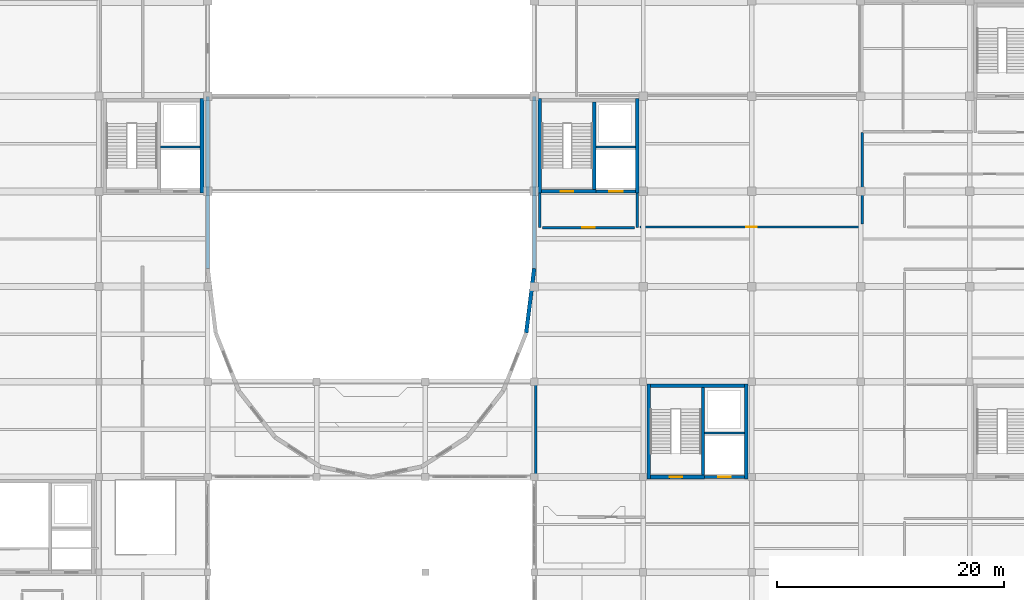
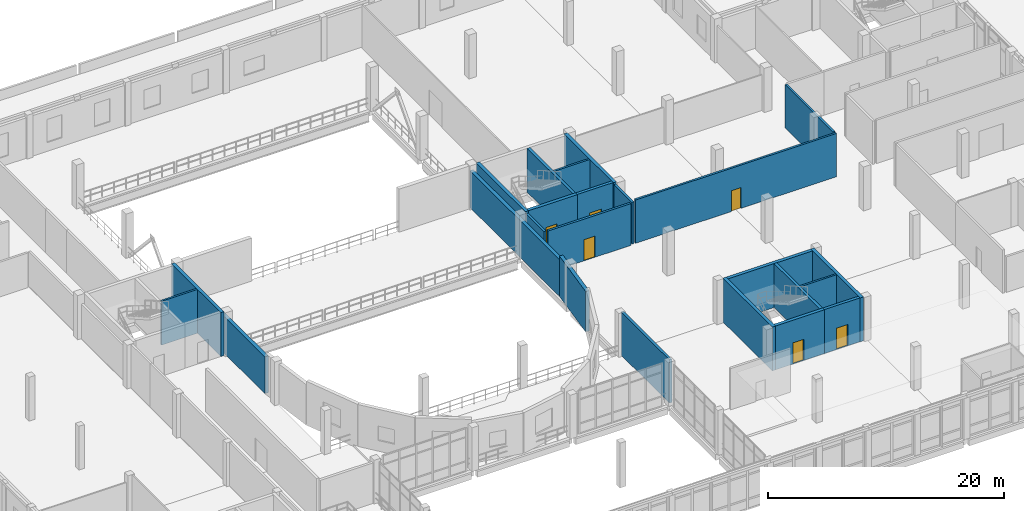
# One storey, part 75 of 88: 24 walls, 6 doors, 6 openings.
"""IFC4 building model written with IfcOpenShell, lengths in metres."""

from ifc_helpers import new_model, si_unit, direction, frame, frame_2d, origin, place, context, subcontext, project, spatial, rectangle, extrude, material, layer, layer_set, type_object, element, fill, save


model = new_model("IFC4")

# Units and contexts
model_context = context("Model", 3, precision=1e-05, world=origin(), true_north=direction((0.0, 1.0)))
body_context = subcontext(model_context, "Body", "Model", "MODEL_VIEW")
ifc_project = project(units=[si_unit("LENGTHUNIT", "METRE"), si_unit("AREAUNIT", "SQUARE_METRE"), si_unit("VOLUMEUNIT", "CUBIC_METRE"), si_unit("PLANEANGLEUNIT", "RADIAN"), si_unit("MASSUNIT", "GRAM", prefix="KILO")], contexts=[model_context])

# Site, building, storey
site_placement = place(None, origin())
site = spatial("IfcSite", under=ifc_project, at=site_placement, CompositionType="ELEMENT")
building_placement = place(site_placement, origin())
building = spatial("IfcBuilding", under=site, at=building_placement, Name="Lornevale Opera House", CompositionType="ELEMENT")
storey_placement = place(building_placement, frame((0.0, 0.0, 10.199951171875)))
storey = spatial("IfcBuildingStorey", under=building, at=storey_placement, Name="L03", CompositionType="ELEMENT", Elevation=10.199951171875)

# Wall
ifc_material_1 = material(Name="Acoustic Mineral-Core Gypsum Partition", Category="gypsum")
ifc_layer_1 = layer(ifc_material_1, 0.25)
ifc_layer_set_1 = layer_set([ifc_layer_1], Name="Acoustic Mineral-Core Gypsum Partition")
wall_type_1 = type_object("IfcWallType", Name="Auditorium Box-in-Box Liner 250", PredefinedType="SOLIDWALL", material=ifc_layer_set_1)
wall_1_placement = place(storey_placement, frame((96.139892578125, 33.69091796875, 0.0), z_axis=(0.0, 0.0, 1.0), x_axis=(0.0, 1.0, 0.0)))
element("IfcWall", 1, at=wall_1_placement, inside=storey, type_object=wall_type_1, Name="L03 Partition WL-INT-0836", PredefinedType="SOLIDWALL", context=body_context, shape_type="SweptSolid", body=[
    extrude(rectangle(XDim=8.218017578125, YDim=0.25, at=frame_2d((4.10888671875, 0.0))), origin(), (0.0, 0.0, 1.0), 4.47998046875),
])

# Wall, opening, door
ifc_material_2 = material(Name="Concrete 40 MPa (CSA A23.1 C-1)", Category="concrete")
ifc_layer_2 = layer(ifc_material_2, 0.320068359375)
ifc_layer_set_2 = layer_set([ifc_layer_2], Name="Concrete 40 MPa (CSA A23.1 C-1)")
wall_type_2 = type_object("IfcWallType", Name="Core Shear Wall 320", PredefinedType="SHEAR", material=ifc_layer_set_2)
wall_2_placement = place(storey_placement, frame((106.260009765625, 33.60009765625, 0.0), z_axis=(0.0, 0.0, 1.0), x_axis=(1.0, 0.0, 0.0)))
wall_2 = element("IfcWall", 2, at=wall_2_placement, inside=storey, type_object=wall_type_2, Name="South-East Foyer Core Core Shear Wall 320 WL-COR-0064", PredefinedType="SHEAR", context=body_context, shape_type="SweptSolid", body=[
    extrude(rectangle(XDim=4.780029296875, YDim=0.320068359375, at=frame_2d((2.39013671875, 0.0))), origin(), (0.0, 0.0, 1.0), 4.5400390625),
])
opening_1_placement = place(wall_2_placement, frame((1.68994140625, 0.0, 0.0)))
opening_1 = element("IfcOpeningElement", 3, at=opening_1_placement, cuts=wall_2, Name="Opening DR-T11", PredefinedType="OPENING", context=body_context, shape_type="SweptSolid", body=[
    extrude(rectangle(XDim=1.10009765625, YDim=2.199951171875, at=frame_2d((0.550048828125, 1.10009765625))), frame((0.0, 0.169921875, 0.0), z_axis=(0.0, -1.0, 0.0), x_axis=(1.0, 0.0, 0.0)), (0.0, 0.0, 1.0), 0.340087890625),
])
ifc_material_3 = material(Name="Painted Hollow Metal Door Steel", Category="steel")
ifc_layer_3 = layer(ifc_material_3, 2.199951171875)
ifc_layer_set_3 = layer_set([ifc_layer_3], Name="Painted Hollow Metal Door Steel")
door_type_1 = type_object("IfcDoorType", Name="Protected Exit Stair Door R 1100x2200", OperationType="NOTDEFINED", PredefinedType="DOOR", material=ifc_layer_set_3)
door_1_placement = place(opening_1_placement, origin())
door_1 = element("IfcDoor", 4, at=door_1_placement, inside=storey, type_object=door_type_1, Name="C2 Stair Door L03", OperationType="SINGLE_SWING_RIGHT", OverallHeight=2.199951171875, OverallWidth=1.10009765625, PredefinedType="DOOR", context=body_context, shape_type="SweptSolid", body=[
    extrude(rectangle(XDim=1.10009765625, YDim=2.199951171875, at=frame_2d((0.550048828125, 1.10009765625))), frame((0.0, 0.02490234375, 0.0), z_axis=(0.0, -1.0, 0.0), x_axis=(1.0, 0.0, 0.0)), (0.0, 0.0, 1.0), 0.050048828125),
])
fill(opening_1, door_1)

# Walls
wall_3_placement = place(storey_placement, frame((114.5400390625, 41.639892578125, 0.0), z_axis=(0.0, 0.0, 1.0), x_axis=(-1.0, 0.0, 0.0)))
element("IfcWall", 5, at=wall_3_placement, inside=storey, type_object=wall_type_2, Name="South-East Foyer Core Core Shear Wall 320 WL-COR-0066", PredefinedType="SHEAR", context=body_context, shape_type="SweptSolid", body=[
    extrude(rectangle(XDim=8.280029296875, YDim=0.320068359375, at=frame_2d((4.14013671875, 0.0))), origin(), (0.0, 0.0, 1.0), 4.5400390625),
])
for number, where, z_axis, x_axis, name in (
    (6, (106.10009765625, 41.800048828125, 0.0), (0.0, 0.0, 1.0), (0.0, -1.0, 0.0), "South-East Foyer Core Core Shear Wall 320 WL-COR-0067"),
    (7, (114.699951171875, 33.43994140625, 0.0), (0.0, 0.0, 1.0), (0.0, 1.0, 0.0), "South-East Foyer Core Core Shear Wall 320 WL-COR-0068"),
    (8, (66.699951171875, 58.639892578125, 0.0), (0.0, 0.0, 1.0), (0.0, 1.0, 0.0), "Auditorium West Tier Core Core Shear Wall 320 WL-COR-0180"),
):
    element("IfcWall", number, at=place(storey_placement, frame(where, z_axis=z_axis, x_axis=x_axis)), inside=storey, type_object=wall_type_2, Name=name, PredefinedType="SHEAR", context=body_context, shape_type="SweptSolid", body=[
        extrude(rectangle(XDim=8.360107421875, YDim=0.320068359375, at=frame_2d((4.18017578125, 0.0))), origin(), (0.0, 0.0, 1.0), 4.5400390625),
    ])

# Wall, opening, door
wall_4_placement = place(storey_placement, frame((96.659912109375, 58.800048828125, 0.0), z_axis=(0.0, 0.0, 1.0), x_axis=(1.0, 0.0, 0.0)))
wall_4 = element("IfcWall", 9, at=wall_4_placement, inside=storey, type_object=wall_type_2, Name="Stagehouse Firefighter Core West Core Shear Wall 320 WL-COR-0225", PredefinedType="SHEAR", context=body_context, shape_type="SweptSolid", body=[
    extrude(rectangle(XDim=4.780029296875, YDim=0.320068359375, at=frame_2d((2.39013671875, 0.0))), origin(), (0.0, 0.0, 1.0), 4.5400390625),
])
opening_2_placement = place(wall_4_placement, frame((1.68994140625, 0.0, 0.0)))
opening_2 = element("IfcOpeningElement", 10, at=opening_2_placement, cuts=wall_4, Name="Opening DR-T11", PredefinedType="OPENING", context=body_context, shape_type="SweptSolid", body=[
    extrude(rectangle(XDim=1.10009765625, YDim=2.199951171875, at=frame_2d((0.550048828125, 1.10009765625))), frame((0.0, 0.169921875, 0.0), z_axis=(0.0, -1.0, 0.0), x_axis=(1.0, 0.0, 0.0)), (0.0, 0.0, 1.0), 0.340087890625),
])
door_2_placement = place(opening_2_placement, origin())
door_2 = element("IfcDoor", 11, at=door_2_placement, inside=storey, type_object=door_type_1, Name="C6 Stair Door L03", OperationType="SINGLE_SWING_RIGHT", OverallHeight=2.199951171875, OverallWidth=1.10009765625, PredefinedType="DOOR", context=body_context, shape_type="SweptSolid", body=[
    extrude(rectangle(XDim=1.10009765625, YDim=2.199951171875, at=frame_2d((0.550048828125, 1.10009765625))), frame((0.0, 0.02490234375, 0.0), z_axis=(0.0, -1.0, 0.0), x_axis=(1.0, 0.0, 0.0)), (0.0, 0.0, 1.0), 0.050048828125),
])
fill(opening_2, door_2)

# Walls
for number, where, z_axis, x_axis, name in (
    (12, (96.5, 67.0, 0.0), (0.0, 0.0, 1.0), (0.0, -1.0, 0.0), "Stagehouse Firefighter Core West Core Shear Wall 320 WL-COR-0228"),
    (13, (105.10009765625, 58.639892578125, 0.0), (0.0, 0.0, 1.0), (0.0, 1.0, 0.0), "Stagehouse Firefighter Core West Core Shear Wall 320 WL-COR-0229"),
):
    element("IfcWall", number, at=place(storey_placement, frame(where, z_axis=z_axis, x_axis=x_axis)), inside=storey, type_object=wall_type_2, Name=name, PredefinedType="SHEAR", context=body_context, shape_type="SweptSolid", body=[
        extrude(rectangle(XDim=8.360107421875, YDim=0.320068359375, at=frame_2d((4.18017578125, 0.0))), origin(), (0.0, 0.0, 1.0), 4.5400390625),
    ])

# Wall, opening, door
ifc_layer_4 = layer(ifc_material_2, 0.280029296875)
ifc_layer_set_4 = layer_set([ifc_layer_4], Name="Concrete 40 MPa (CSA A23.1 C-1)")
wall_type_3 = type_object("IfcWallType", Name="Elevator Shaft Wall 280", PredefinedType="SHEAR", material=ifc_layer_set_4)
wall_5_placement = place(storey_placement, frame((111.0400390625, 33.60009765625, 0.0), z_axis=(0.0, 0.0, 1.0), x_axis=(1.0, 0.0, 0.0)))
wall_5 = element("IfcWall", 14, at=wall_5_placement, inside=storey, type_object=wall_type_3, Name="South-East Foyer Core Elevator Shaft Wall 280 WL-COR-0065", PredefinedType="SHEAR", context=body_context, shape_type="SweptSolid", body=[
    extrude(rectangle(XDim=3.5, YDim=0.280029296875, at=frame_2d((1.75, 0.0))), origin(), (0.0, 0.0, 1.0), 4.5400390625),
])
opening_3_placement = place(wall_5_placement, frame((1.2099609375, 0.0, 0.0)))
opening_3 = element("IfcOpeningElement", 15, at=opening_3_placement, cuts=wall_5, Name="Opening DR-T25", PredefinedType="OPENING", context=body_context, shape_type="SweptSolid", body=[
    extrude(rectangle(XDim=1.10009765625, YDim=2.199951171875, at=frame_2d((0.550048828125, 1.10009765625))), frame((0.0, 0.14990234375, 0.0), z_axis=(0.0, -1.0, 0.0), x_axis=(1.0, 0.0, 0.0)), (0.0, 0.0, 1.0), 0.300048828125),
])
ifc_layer_5 = layer(ifc_material_3, 2.199951171875)
ifc_layer_set_5 = layer_set([ifc_layer_5], Name="Painted Hollow Metal Door Steel")
door_type_2 = type_object("IfcDoorType", Name="Passenger Lift Landing Door 1100x2200", OperationType="NOTDEFINED", PredefinedType="DOOR", material=ifc_layer_set_5)
door_3_placement = place(opening_3_placement, origin())
door_3 = element("IfcDoor", 16, at=door_3_placement, inside=storey, type_object=door_type_2, Name="L-P2 Landing Door L03", OperationType="SLIDING_TO_LEFT", OverallHeight=2.199951171875, OverallWidth=1.10009765625, PredefinedType="DOOR", context=body_context, shape_type="SweptSolid", body=[
    extrude(rectangle(XDim=1.10009765625, YDim=2.199951171875, at=frame_2d((0.550048828125, 1.10009765625))), frame((0.0, 0.02490234375, 0.0), z_axis=(0.0, -1.0, 0.0), x_axis=(1.0, 0.0, 0.0)), (0.0, 0.0, 1.0), 0.050048828125),
])
fill(opening_3, door_3)

# Wall
wall_6_placement = place(storey_placement, frame((110.89990234375, 33.760009765625, 0.0), z_axis=(0.0, 0.0, 1.0), x_axis=(0.0, 1.0, 0.0)))
element("IfcWall", 17, at=wall_6_placement, inside=storey, type_object=wall_type_3, Name="South-East Foyer Core Elevator Shaft Wall 280 WL-COR-0069", PredefinedType="SHEAR", context=body_context, shape_type="SweptSolid", body=[
    extrude(rectangle(XDim=7.719970703125, YDim=0.280029296875, at=frame_2d((3.85986328125, 0.0))), origin(), (0.0, 0.0, 1.0), 4.5400390625),
])

# Wall, opening, door
wall_7_placement = place(storey_placement, frame((101.43994140625, 58.800048828125, 0.0), z_axis=(0.0, 0.0, 1.0), x_axis=(1.0, 0.0, 0.0)))
wall_7 = element("IfcWall", 18, at=wall_7_placement, inside=storey, type_object=wall_type_3, Name="Stagehouse Firefighter Core West Elevator Shaft Wall 280 WL-COR-0226", PredefinedType="SHEAR", context=body_context, shape_type="SweptSolid", body=[
    extrude(rectangle(XDim=3.5, YDim=0.280029296875, at=frame_2d((1.75, 0.0))), origin(), (0.0, 0.0, 1.0), 4.5400390625),
])
opening_4_placement = place(wall_7_placement, frame((1.159912109375, 0.0, 0.0)))
opening_4 = element("IfcOpeningElement", 19, at=opening_4_placement, cuts=wall_7, Name="Opening DR-T26", PredefinedType="OPENING", context=body_context, shape_type="SweptSolid", body=[
    extrude(rectangle(XDim=1.199951171875, YDim=2.199951171875, at=frame_2d((0.60009765625, 1.10009765625))), frame((0.0, 0.14990234375, 0.0), z_axis=(0.0, -1.0, 0.0), x_axis=(1.0, 0.0, 0.0)), (0.0, 0.0, 1.0), 0.300048828125),
])
ifc_layer_6 = layer(ifc_material_3, 2.199951171875)
ifc_layer_set_6 = layer_set([ifc_layer_6], Name="Painted Hollow Metal Door Steel")
door_type_3 = type_object("IfcDoorType", Name="Firefighter Lift Landing Door 1200x2200", OperationType="NOTDEFINED", PredefinedType="DOOR", material=ifc_layer_set_6)
door_4_placement = place(opening_4_placement, origin())
door_4 = element("IfcDoor", 20, at=door_4_placement, inside=storey, type_object=door_type_3, Name="L-FF1 Landing Door L03", OperationType="SLIDING_TO_RIGHT", OverallHeight=2.199951171875, OverallWidth=1.199951171875, PredefinedType="DOOR", context=body_context, shape_type="SweptSolid", body=[
    extrude(rectangle(XDim=1.199951171875, YDim=2.199951171875, at=frame_2d((0.60009765625, 1.10009765625))), frame((0.0, 0.02490234375, 0.0), z_axis=(0.0, -1.0, 0.0), x_axis=(1.0, 0.0, 0.0)), (0.0, 0.0, 1.0), 0.050048828125),
])
fill(opening_4, door_4)

# Walls
wall_8_placement = place(storey_placement, frame((101.300048828125, 58.9599609375, 0.0), z_axis=(0.0, 0.0, 1.0), x_axis=(0.0, 1.0, 0.0)))
element("IfcWall", 21, at=wall_8_placement, inside=storey, type_object=wall_type_3, Name="Stagehouse Firefighter Core West Elevator Shaft Wall 280 WL-COR-0230", PredefinedType="SHEAR", context=body_context, shape_type="SweptSolid", body=[
    extrude(rectangle(XDim=7.719970703125, YDim=0.280029296875, at=frame_2d((3.85986328125, 0.0))), origin(), (0.0, 0.0, 1.0), 4.5400390625),
])
ifc_material_4 = material(Name="Concrete 35 MPa (CSA A23.1 N)", Category="concrete")
ifc_layer_7 = layer(ifc_material_4, 0.219970703125)
ifc_layer_set_7 = layer_set([ifc_layer_7], Name="Concrete 35 MPa (CSA A23.1 N)")
wall_type_4 = type_object("IfcWallType", Name="Firefighter Vestibule Wall 220", PredefinedType="SOLIDWALL", material=ifc_layer_set_7)
for number, where, z_axis, x_axis, name in (
    (22, (96.5, 55.60009765625, 0.0), (0.0, 0.0, 1.0), (0.0, 1.0, 0.0), "C6 Vestibule West Wall WL-INT-0400"),
    (23, (105.10009765625, 55.60009765625, 0.0), (0.0, 0.0, 1.0), (0.0, 1.0, 0.0), "C6 Vestibule East Wall WL-INT-0401"),
):
    element("IfcWall", number, at=place(storey_placement, frame(where, z_axis=z_axis, x_axis=x_axis)), inside=storey, type_object=wall_type_4, Name=name, PredefinedType="SOLIDWALL", context=body_context, shape_type="SweptSolid", body=[
        extrude(rectangle(XDim=3.039794921875, YDim=0.219970703125, at=frame_2d((1.52001953125, 0.0))), origin(), (0.0, 0.0, 1.0), 4.320068359375),
    ])

# Wall, opening, door
wall_9_placement = place(storey_placement, frame((96.75, 55.60009765625, 0.0), z_axis=(0.0, 0.0, 1.0), x_axis=(1.0, 0.0, 0.0)))
wall_9 = element("IfcWall", 24, at=wall_9_placement, inside=storey, type_object=wall_type_4, Name="C6 Vestibule South Wall WL-INT-0402", PredefinedType="SOLIDWALL", context=body_context, shape_type="SweptSolid", body=[
    extrude(rectangle(XDim=8.10009765625, YDim=0.219970703125, at=frame_2d((4.050048828125, 0.0))), origin(), (0.0, 0.0, 1.0), 4.320068359375),
])
opening_5_placement = place(wall_9_placement, frame((3.5, 0.0, 0.0)))
opening_5 = element("IfcOpeningElement", 25, at=opening_5_placement, cuts=wall_9, Name="Opening DR-T13", PredefinedType="OPENING", context=body_context, shape_type="SweptSolid", body=[
    extrude(rectangle(XDim=1.10009765625, YDim=2.199951171875, at=frame_2d((0.550048828125, 1.10009765625))), frame((0.0, 0.119873046875, 0.0), z_axis=(0.0, -1.0, 0.0), x_axis=(1.0, 0.0, 0.0)), (0.0, 0.0, 1.0), 0.239990234375),
])
ifc_layer_8 = layer(ifc_material_3, 2.199951171875)
ifc_layer_set_8 = layer_set([ifc_layer_8], Name="Painted Hollow Metal Door Steel")
door_type_4 = type_object("IfcDoorType", Name="Firefighter Vestibule Door 1100x2200", OperationType="NOTDEFINED", PredefinedType="DOOR", material=ifc_layer_set_8)
door_5_placement = place(opening_5_placement, origin())
door_5 = element("IfcDoor", 26, at=door_5_placement, inside=storey, type_object=door_type_4, Name="C6 Firefighter Vestibule Door L03", OperationType="SINGLE_SWING_LEFT", OverallHeight=2.199951171875, OverallWidth=1.10009765625, PredefinedType="DOOR", context=body_context, shape_type="SweptSolid", body=[
    extrude(rectangle(XDim=1.10009765625, YDim=2.199951171875, at=frame_2d((0.550048828125, 1.10009765625))), frame((0.0, 0.02490234375, 0.0), z_axis=(0.0, -1.0, 0.0), x_axis=(1.0, 0.0, 0.0)), (0.0, 0.0, 1.0), 0.050048828125),
])
fill(opening_5, door_5)

# Walls
ifc_material_5 = material(Name="Credit Valley Sandstone Ashlar Masonry (25 MPa)", Category="masonry")
ifc_layer_9 = layer(ifc_material_5, 0.340087890625)
ifc_layer_set_9 = layer_set([ifc_layer_9], Name="Credit Valley Sandstone Ashlar Masonry (25 MPa)")
wall_type_5 = type_object("IfcWallType", Name="Polychrome Drum Cavity Wall 340", PredefinedType="SOLIDWALL", material=ifc_layer_set_9)
wall_10_placement = place(storey_placement, frame((67.199951171875, 67.169921875, 0.0), z_axis=(0.0, 0.0, 1.0), x_axis=(0.0, -1.0, 0.0)))
element("IfcWall", 27, at=wall_10_placement, inside=storey, type_object=wall_type_5, Name="Auditorium Horseshoe Drum Wall WL-DRM-0348", PredefinedType="SOLIDWALL", context=body_context, shape_type="SweptSolid", body=[
    extrude(rectangle(XDim=15.157958984375, YDim=0.340087890625, at=frame_2d((7.5791015625, 0.0))), origin(), (0.0, 0.0, 1.0), 3.80712890625),
])
wall_11_placement = place(storey_placement, frame((95.29638671875, 46.325927734375, 0.0), z_axis=(0.0, 0.0, 1.0), x_axis=(0.123065633968, 0.992398533723, 0.0)))
element("IfcWall", 28, at=wall_11_placement, inside=storey, type_object=wall_type_5, Name="Auditorium Horseshoe Drum Wall WL-DRM-0358", PredefinedType="SOLIDWALL", context=body_context, shape_type="SweptSolid", body=[
    extrude(rectangle(XDim=5.70556640625, YDim=0.340087890625, at=frame_2d((2.852783203125, 0.0))), origin(), (0.0, 0.0, 1.0), 4.177978515625),
])
wall_12_placement = place(storey_placement, frame((96.0, 52.011962890625, 0.0), z_axis=(0.0, 0.0, 1.0), x_axis=(0.0, 1.0, 0.0)))
element("IfcWall", 29, at=wall_12_placement, inside=storey, type_object=wall_type_5, Name="Auditorium Horseshoe Drum Wall WL-DRM-0359", PredefinedType="SOLIDWALL", context=body_context, shape_type="SweptSolid", body=[
    extrude(rectangle(XDim=15.157958984375, YDim=0.340087890625, at=frame_2d((7.5791015625, 0.0))), origin(), (0.0, 0.0, 1.0), 3.80712890625),
])

# Wall, opening, door
ifc_layer_10 = layer(ifc_material_1, 0.199951171875)
ifc_layer_set_10 = layer_set([ifc_layer_10], Name="Acoustic Mineral-Core Gypsum Partition")
wall_type_6 = type_object("IfcWallType", Name="Practice Studio Double-Stud Wall 200", PredefinedType="SOLIDWALL", material=ifc_layer_set_10)
wall_13_placement = place(storey_placement, frame((105.35009765625, 55.659912109375, 0.0), z_axis=(0.0, 0.0, 1.0), x_axis=(1.0, 0.0, 0.0)))
wall_13 = element("IfcWall", 30, at=wall_13_placement, inside=storey, type_object=wall_type_6, Name="L03 Partition WL-INT-0843", PredefinedType="SOLIDWALL", context=body_context, shape_type="SweptSolid", body=[
    extrude(rectangle(XDim=19.64990234375, YDim=0.199951171875, at=frame_2d((9.824951171875, 0.0))), origin(), (0.0, 0.0, 1.0), 4.47998046875),
])
opening_6_placement = place(wall_13_placement, frame((9.35009765625, 0.0, 0.0)))
opening_6 = element("IfcOpeningElement", 31, at=opening_6_placement, cuts=wall_13, Name="Opening DR-T19", PredefinedType="OPENING", context=body_context, shape_type="SweptSolid", body=[
    extrude(rectangle(XDim=0.949951171875, YDim=2.14990234375, at=frame_2d((0.47509765625, 1.074951171875))), frame((0.0, 0.10986328125, 0.0), z_axis=(0.0, -1.0, 0.0), x_axis=(1.0, 0.0, 0.0)), (0.0, 0.0, 1.0), 0.219970703125),
])
ifc_material_6 = material(Name="White Oak Acoustic Panelling", Category="wood")
ifc_layer_11 = layer(ifc_material_6, 2.14990234375)
ifc_layer_set_11 = layer_set([ifc_layer_11], Name="White Oak Acoustic Panelling")
door_type_5 = type_object("IfcDoorType", Name="Soloist Dressing Door L 950x2150", OperationType="NOTDEFINED", PredefinedType="DOOR", material=ifc_layer_set_11)
door_6_placement = place(opening_6_placement, origin())
door_6 = element("IfcDoor", 32, at=door_6_placement, inside=storey, type_object=door_type_5, Name="Costume Fitting & Wig Studio Door", OperationType="SINGLE_SWING_LEFT", OverallHeight=2.14990234375, OverallWidth=0.949951171875, PredefinedType="DOOR", context=body_context, shape_type="SweptSolid", body=[
    extrude(rectangle(XDim=0.949951171875, YDim=2.14990234375, at=frame_2d((0.47509765625, 1.074951171875))), frame((0.0, 0.02490234375, 0.0), z_axis=(0.0, -1.0, 0.0), x_axis=(1.0, 0.0, 0.0)), (0.0, 0.0, 1.0), 0.050048828125),
])
fill(opening_6, door_6)

# Walls
wall_14_placement = place(storey_placement, frame((124.93994140625, 55.909912109375, 0.0), z_axis=(0.0, 0.0, 1.0), x_axis=(0.0, 1.0, 0.0)))
element("IfcWall", 33, at=wall_14_placement, inside=storey, type_object=wall_type_6, Name="L03 Partition WL-INT-0844", PredefinedType="SOLIDWALL", context=body_context, shape_type="SweptSolid", body=[
    extrude(rectangle(XDim=8.090087890625, YDim=0.199951171875, at=frame_2d((4.044921875, 0.0))), origin(), (0.0, 0.0, 1.0), 4.47998046875),
])
ifc_material_7 = material(Name="Moisture-Resistant Ceramic & Gypsum Partition", Category="gypsum")
ifc_layer_12 = layer(ifc_material_7, 0.179931640625)
ifc_layer_set_12 = layer_set([ifc_layer_12], Name="Moisture-Resistant Ceramic & Gypsum Partition")
wall_type_7 = type_object("IfcWallType", Name="Riser Shaft Wall 180", PredefinedType="SOLIDWALL", material=ifc_layer_set_12)
for number, where, z_axis, x_axis, name in (
    (34, (111.0400390625, 37.5, 0.0), (0.0, 0.0, 1.0), (1.0, 0.0, 0.0), "South-East Foyer Core Riser Shaft Wall 180 WL-COR-0070"),
    (35, (63.0400390625, 62.699951171875, 0.0), (0.0, 0.0, 1.0), (1.0, 0.0, 0.0), "Auditorium West Tier Core Riser Shaft Wall 180 WL-COR-0182"),
    (36, (101.43994140625, 62.699951171875, 0.0), (0.0, 0.0, 1.0), (1.0, 0.0, 0.0), "Stagehouse Firefighter Core West Riser Shaft Wall 180 WL-COR-0231"),
):
    element("IfcWall", number, at=place(storey_placement, frame(where, z_axis=z_axis, x_axis=x_axis)), inside=storey, type_object=wall_type_7, Name=name, PredefinedType="SOLIDWALL", context=body_context, shape_type="SweptSolid", body=[
        extrude(rectangle(XDim=3.5, YDim=0.179931640625, at=frame_2d((1.75, 0.0))), origin(), (0.0, 0.0, 1.0), 4.5400390625),
    ])

save(model, "model.ifc")
